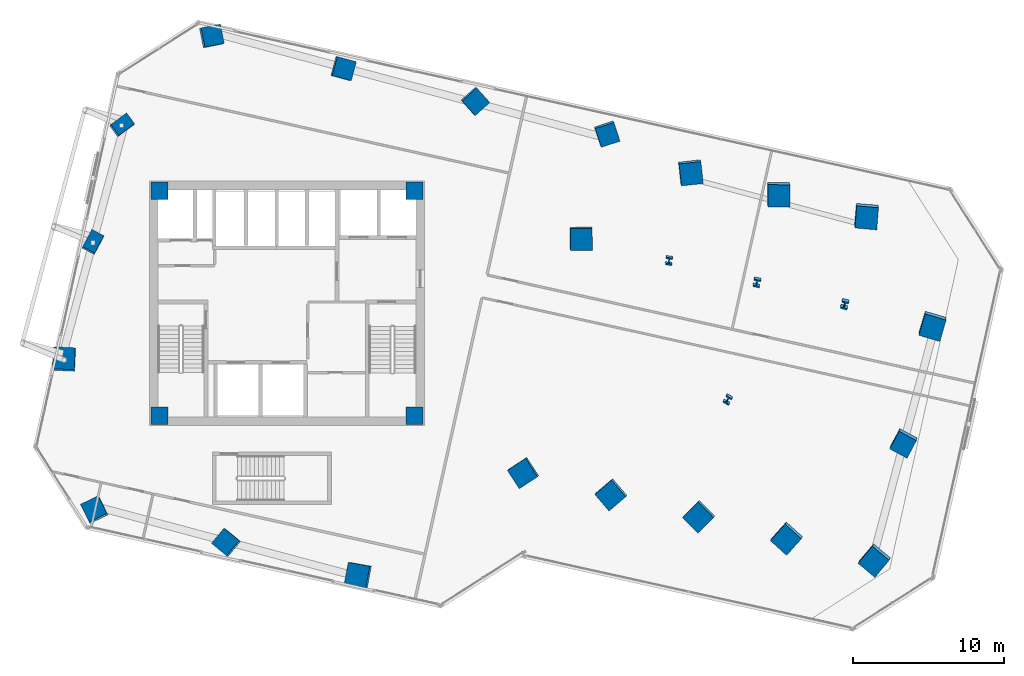
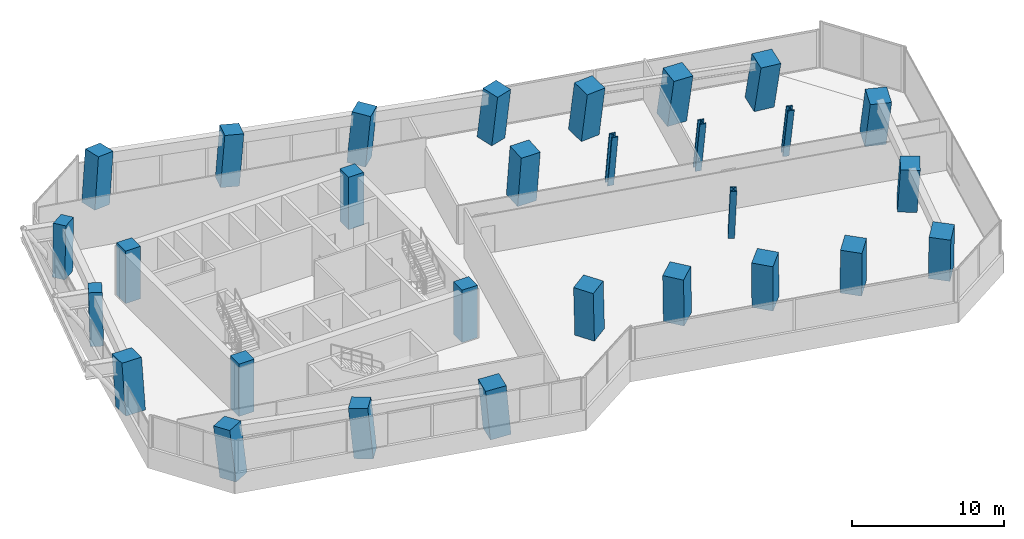
# One storey, part 1 of 26: 29 columns.
"""IFC4 building model written with IfcOpenShell, lengths in metres."""

from ifc_helpers import new_model, si_unit, direction, frame, origin, origin_2d, place, context, subcontext, project, spatial, rectangle, i_section, extrude, clip, halfspace, source, transform, mapped, material, material_profile, profile_set, type_object, element, save


model = new_model("IFC4")

# Units and contexts
model_context = context("Model", 3, precision=1e-05, world=origin(), true_north=direction((0.0, 1.0)))
body_context = subcontext(model_context, "Body", "Model", "MODEL_VIEW")
ifc_project = project(units=[si_unit("LENGTHUNIT", "METRE"), si_unit("AREAUNIT", "SQUARE_METRE"), si_unit("VOLUMEUNIT", "CUBIC_METRE"), si_unit("PLANEANGLEUNIT", "RADIAN"), si_unit("MASSUNIT", "GRAM", prefix="KILO")], contexts=[model_context])

# Site, building, storey
site_placement = place(None, origin())
site = spatial("IfcSite", under=ifc_project, at=site_placement, CompositionType="ELEMENT")
building_placement = place(site_placement, origin())
building = spatial("IfcBuilding", under=site, at=building_placement, Name="Torre Montelarca", CompositionType="ELEMENT")
storey_placement = place(building_placement, frame((0.0, 0.0, 95.800048828125)))
storey = spatial("IfcBuildingStorey", under=building, at=storey_placement, Name="L21", CompositionType="ELEMENT", Elevation=95.800048828125)

# Columns
ifc_material_1 = material(Name="Concrete C55/67", Category="concrete")
ifc_material_profile_1 = material_profile(ifc_material_1, rectangle(XDim=0.89990234375, YDim=1.300048828125, at=origin_2d()), Name="RC1300X900", Category="concrete")
ifc_profile_set_1 = profile_set([ifc_material_profile_1], Name="Concrete C55/67")
column_type_1 = type_object("IfcColumnType", Name="COL-PIL1300-EXT", PredefinedType="PILASTER", material=ifc_profile_set_1)
column_1_placement = place(storey_placement, frame((5.1328125, 36.0048828125, 0.0), z_axis=(0.021657544473, 0.084487586596, 0.996189137904), x_axis=(0.882124664244, -0.470559572266, 0.020730790648)))
element("IfcColumn", 1, at=column_1_placement, inside=storey, type_object=column_type_1, Name="L21 Column 1W/E", PredefinedType="PILASTER", context=body_context, shape_type="Clipping", body=[
    clip(clip(extrude(rectangle(XDim=0.89990234375, YDim=1.300048828125, at=origin_2d()), origin(), (0.0, 0.0, 1.0), 4.216064453125), halfspace(frame((0.0, 0.0, 0.0654296875), z_axis=(0.0, 0.0, -1.0), x_axis=(1.0, 0.0, 0.0)), False)), halfspace(frame((0.0, 0.0, 4.150634765625), z_axis=(0.0, 0.0, 1.0), x_axis=(1.0, 0.0, 0.0)), False)),
])
column_2_placement = place(storey_placement, frame((7.034423828125, 43.775634765625, 0.0), z_axis=(0.061677203193, 0.074116789203, 0.995340456409), x_axis=(0.59530735694, -0.803171151996, 0.022918363263)))
element("IfcColumn", 2, at=column_2_placement, inside=storey, type_object=column_type_1, Name="L21 Column 1W/F", PredefinedType="PILASTER", context=body_context, shape_type="Clipping", body=[
    clip(clip(extrude(rectangle(XDim=0.89990234375, YDim=1.300048828125, at=origin_2d()), origin(), (0.0, 0.0, 1.0), 4.2197265625), halfspace(frame((0.0, 0.0, 0.072265625), z_axis=(0.0, 0.0, -1.0), x_axis=(1.0, 0.0, 0.0)), False)), halfspace(frame((0.0, 0.0, 4.1474609375), z_axis=(0.0, 0.0, 1.0), x_axis=(1.0, 0.0, 0.0)), False)),
])
ifc_material_2 = material(Name="Concrete C70/85", Category="concrete")
ifc_material_profile_2 = material_profile(ifc_material_2, rectangle(XDim=1.300048828125, YDim=1.300048828125, at=origin_2d()), Name="RC1300X1300", Category="concrete")
ifc_profile_set_2 = profile_set([ifc_material_profile_2], Name="Concrete C70/85")
column_type_2 = type_object("IfcColumnType", Name="COL-RC1300-EXT", PredefinedType="COLUMN", material=ifc_profile_set_2)
column_3_placement = place(storey_placement, frame((5.27001953125, 18.263916015625, 0.0), z_axis=(-0.070026755968, 0.084586774536, 0.993952378649), x_axis=(0.898867444645, 0.437442644785, 0.026100756318)))
element("IfcColumn", 3, at=column_3_placement, inside=storey, type_object=column_type_2, Name="L21 Column 2/CS", PredefinedType="COLUMN", context=body_context, shape_type="Clipping", body=[
    clip(clip(extrude(rectangle(XDim=1.300048828125, YDim=1.300048828125, at=origin_2d()), origin(), (0.0, 0.0, 1.0), 4.2255859375), halfspace(frame((0.0, 0.0, 0.087646484375), z_axis=(0.0, 0.0, -1.0), x_axis=(1.0, 0.0, 0.0)), False)), halfspace(frame((0.0, 0.0, 4.137939453125), z_axis=(0.0, 0.0, 1.0), x_axis=(1.0, 0.0, 0.0)), False)),
])
column_4_placement = place(storey_placement, frame((12.959228515625, 49.68701171875, 0.0), z_axis=(0.091833343277, 0.043083023137, 0.99484194231), x_axis=(0.198481878396, -0.979807961989, 0.024110196407)))
element("IfcColumn", 4, at=column_4_placement, inside=storey, type_object=column_type_2, Name="L21 Column 2/GN", PredefinedType="COLUMN", context=body_context, shape_type="Clipping", body=[
    clip(clip(extrude(rectangle(XDim=1.300048828125, YDim=1.300048828125, at=origin_2d()), origin(), (0.0, 0.0, 1.0), 4.2216796875), halfspace(frame((0.0, 0.0, 0.080810546875), z_axis=(0.0, 0.0, -1.0), x_axis=(1.0, 0.0, 0.0)), False)), halfspace(frame((0.0, 0.0, 4.140869140625), z_axis=(0.0, 0.0, 1.0), x_axis=(1.0, 0.0, 0.0)), False)),
])
column_5_placement = place(storey_placement, frame((14.01220703125, 16.124755859375, 0.0), z_axis=(-0.08173927693, 0.039653969332, 0.995864575795), x_axis=(0.636933546754, 0.770616224226, 0.021593794944)))
element("IfcColumn", 5, at=column_5_placement, inside=storey, type_object=column_type_2, Name="L21 Column 3/CS", PredefinedType="COLUMN", context=body_context, shape_type="Clipping", body=[
    clip(clip(extrude(rectangle(XDim=1.300048828125, YDim=1.300048828125, at=origin_2d()), origin(), (0.0, 0.0, 1.0), 4.21728515625), halfspace(frame((0.0, 0.0, 0.072265625), z_axis=(0.0, 0.0, -1.0), x_axis=(1.0, 0.0, 0.0)), False)), halfspace(frame((0.0, 0.0, 4.14501953125), z_axis=(0.0, 0.0, 1.0), x_axis=(1.0, 0.0, 0.0)), False)),
])
column_6_placement = place(storey_placement, frame((21.701171875, 47.547607421875, 0.0), z_axis=(0.080479677017, -0.001912044162, 0.996754415929), x_axis=(-0.259918359422, -0.965441000631, 0.019134281708)))
element("IfcColumn", 6, at=column_6_placement, inside=storey, type_object=column_type_2, Name="L21 Column 3/GN", PredefinedType="COLUMN", context=body_context, shape_type="Clipping", body=[
    clip(clip(extrude(rectangle(XDim=1.300048828125, YDim=1.300048828125, at=origin_2d()), origin(), (0.0, 0.0, 1.0), 4.213623046875), halfspace(frame((0.0, 0.0, 0.064208984375), z_axis=(0.0, 0.0, -1.0), x_axis=(1.0, 0.0, 0.0)), False)), halfspace(frame((0.0, 0.0, 4.1494140625), z_axis=(0.0, 0.0, 1.0), x_axis=(1.0, 0.0, 0.0)), False)),
])
column_7_placement = place(storey_placement, frame((30.443359375, 45.40869140625, 0.0), z_axis=(0.068874852262, -0.047094411177, 0.996513106367), x_axis=(-0.743779680485, -0.66813059545, 0.01983164948)))
element("IfcColumn", 7, at=column_7_placement, inside=storey, type_object=column_type_2, Name="L21 Column 4/GN", PredefinedType="COLUMN", context=body_context, shape_type="Clipping", body=[
    clip(clip(extrude(rectangle(XDim=1.300048828125, YDim=1.300048828125, at=origin_2d()), origin(), (0.0, 0.0, 1.0), 4.214599609375), halfspace(frame((0.0, 0.0, 0.066650390625), z_axis=(0.0, 0.0, -1.0), x_axis=(1.0, 0.0, 0.0)), False)), halfspace(frame((0.0, 0.0, 4.14794921875), z_axis=(0.0, 0.0, 1.0), x_axis=(1.0, 0.0, 0.0)), False)),
])
column_8_placement = place(storey_placement, frame((39.185302734375, 43.269287109375, 0.0), z_axis=(0.057209704883, -0.091940040878, 0.994119750609), x_axis=(-0.949549627817, -0.312558879677, 0.025738124395)))
element("IfcColumn", 8, at=column_8_placement, inside=storey, type_object=column_type_2, Name="L21 Column 5/GN", PredefinedType="COLUMN", context=body_context, shape_type="Clipping", body=[
    clip(clip(extrude(rectangle(XDim=1.300048828125, YDim=1.300048828125, at=origin_2d()), origin(), (0.0, 0.0, 1.0), 4.224853515625), halfspace(frame((0.0, 0.0, 0.08642578125), z_axis=(0.0, 0.0, -1.0), x_axis=(1.0, 0.0, 0.0)), False)), halfspace(frame((0.0, 0.0, 4.138427734375), z_axis=(0.0, 0.0, 1.0), x_axis=(1.0, 0.0, 0.0)), False)),
])
column_9_placement = place(storey_placement, frame((58.896728515625, 22.84912109375, 0.0), z_axis=(-0.048735307847, -0.189982200062, 0.980577194018), x_axis=(-0.882964707532, 0.467118904465, 0.046618176111)))
element("IfcColumn", 9, at=column_9_placement, inside=storey, type_object=column_type_2, Name="L21 Column 9/E", PredefinedType="COLUMN", context=body_context, shape_type="Clipping", body=[
    clip(clip(extrude(rectangle(XDim=1.300048828125, YDim=1.300048828125, at=origin_2d()), origin(), (0.0, 0.0, 1.0), 4.283203125), halfspace(frame((0.0, 0.0, 0.157958984375), z_axis=(0.0, 0.0, -1.0), x_axis=(1.0, 0.0, 0.0)), False)), halfspace(frame((0.0, 0.0, 4.125244140625), z_axis=(0.0, 0.0, 1.0), x_axis=(1.0, 0.0, 0.0)), False)),
])
ifc_material_profile_3 = material_profile(ifc_material_2, rectangle(XDim=1.449951171875, YDim=1.449951171875, at=origin_2d()), Name="RC1450X1450", Category="concrete")
ifc_profile_set_3 = profile_set([ifc_material_profile_3], Name="Concrete C70/85")
column_type_3 = type_object("IfcColumnType", Name="COL-RC1450", PredefinedType="COLUMN", material=ifc_profile_set_3)
column_10_placement = place(storey_placement, frame((33.68310546875, 20.78271484375, 0.0), z_axis=(-0.058784219019, -0.062374979196, 0.996320118017), x_axis=(-0.544471118639, 0.838532157518, 0.020372083255)))
element("IfcColumn", 10, at=column_10_placement, inside=storey, type_object=column_type_3, Name="L21 Column 5/D", PredefinedType="COLUMN", context=body_context, shape_type="Clipping", body=[
    clip(clip(extrude(rectangle(XDim=1.449951171875, YDim=1.449951171875, at=origin_2d()), origin(), (0.0, 0.0, 1.0), 4.215576171875), halfspace(frame((0.0, 0.0, 0.076171875), z_axis=(0.0, 0.0, -1.0), x_axis=(1.0, 0.0, 0.0)), False)), halfspace(frame((0.0, 0.0, 4.139404296875), z_axis=(0.0, 0.0, 1.0), x_axis=(1.0, 0.0, 0.0)), False)),
])
column_11_placement = place(storey_placement, frame((37.48583984375, 36.32421875, 0.0), z_axis=(0.021486713644, -0.082935239724, 0.996323274419), x_axis=(-0.999689409814, -0.014367235525, 0.020363360447)))
element("IfcColumn", 11, at=column_11_placement, inside=storey, type_object=column_type_3, Name="L21 Column 5/F", PredefinedType="COLUMN", context=body_context, shape_type="Clipping", body=[
    clip(clip(extrude(rectangle(XDim=1.449951171875, YDim=1.449951171875, at=origin_2d()), origin(), (0.0, 0.0, 1.0), 4.21533203125), halfspace(frame((0.0, 0.0, 0.076171875), z_axis=(0.0, 0.0, -1.0), x_axis=(1.0, 0.0, 0.0)), False)), halfspace(frame((0.0, 0.0, 4.13916015625), z_axis=(0.0, 0.0, 1.0), x_axis=(1.0, 0.0, 0.0)), False)),
])
column_12_placement = place(storey_placement, frame((39.510986328125, 19.356689453125, 0.0), z_axis=(-0.066243141564, -0.092232168332, 0.993531616669), x_axis=(-0.651184265273, 0.75843955537, 0.026990618942)))
element("IfcColumn", 12, at=column_12_placement, inside=storey, type_object=column_type_3, Name="L21 Column 6/D", PredefinedType="COLUMN", context=body_context, shape_type="Clipping", body=[
    clip(clip(extrude(rectangle(XDim=1.449951171875, YDim=1.449951171875, at=origin_2d()), origin(), (0.0, 0.0, 1.0), 4.227294921875), halfspace(frame((0.0, 0.0, 0.100830078125), z_axis=(0.0, 0.0, -1.0), x_axis=(1.0, 0.0, 0.0)), False)), halfspace(frame((0.0, 0.0, 4.12646484375), z_axis=(0.0, 0.0, 1.0), x_axis=(1.0, 0.0, 0.0)), False)),
])
column_13_placement = place(storey_placement, frame((44.739990234375, 40.726318359375, 0.0), z_axis=(0.043642652693, -0.120204664286, 0.991789371565), x_axis=(-0.99347662325, -0.109910397772, 0.030395781227)))
element("IfcColumn", 13, at=column_13_placement, inside=storey, type_object=column_type_3, Name="L21 Column 6/G", PredefinedType="COLUMN", context=body_context, shape_type="Clipping", body=[
    clip(clip(extrude(rectangle(XDim=1.449951171875, YDim=1.449951171875, at=origin_2d()), origin(), (0.0, 0.0, 1.0), 4.234619140625), halfspace(frame((0.0, 0.0, 0.11376953125), z_axis=(0.0, 0.0, -1.0), x_axis=(1.0, 0.0, 0.0)), False)), halfspace(frame((0.0, 0.0, 4.120849609375), z_axis=(0.0, 0.0, 1.0), x_axis=(1.0, 0.0, 0.0)), False)),
])
column_14_placement = place(storey_placement, frame((45.339111328125, 17.9306640625, 0.0), z_axis=(-0.073648005459, -0.121806896528, 0.989817685864), x_axis=(-0.709488778205, 0.703904141018, 0.033832437972)))
element("IfcColumn", 14, at=column_14_placement, inside=storey, type_object=column_type_3, Name="L21 Column 7/D", PredefinedType="COLUMN", context=body_context, shape_type="Clipping", body=[
    clip(clip(extrude(rectangle(XDim=1.449951171875, YDim=1.449951171875, at=origin_2d()), origin(), (0.0, 0.0, 1.0), 4.2431640625), halfspace(frame((0.0, 0.0, 0.126708984375), z_axis=(0.0, 0.0, -1.0), x_axis=(1.0, 0.0, 0.0)), False)), halfspace(frame((0.0, 0.0, 4.116455078125), z_axis=(0.0, 0.0, 1.0), x_axis=(1.0, 0.0, 0.0)), False)),
])
column_15_placement = place(storey_placement, frame((50.568115234375, 39.300048828125, 0.0), z_axis=(0.035841157011, -0.149567905219, 0.988101641124), x_axis=(-0.999329508382, 0.002036176133, 0.036556636394)))
element("IfcColumn", 15, at=column_15_placement, inside=storey, type_object=column_type_3, Name="L21 Column 7/G", PredefinedType="COLUMN", context=body_context, shape_type="Clipping", body=[
    clip(clip(extrude(rectangle(XDim=1.449951171875, YDim=1.449951171875, at=origin_2d()), origin(), (0.0, 0.0, 1.0), 4.25048828125), halfspace(frame((0.0, 0.0, 0.13720703125), z_axis=(0.0, 0.0, -1.0), x_axis=(1.0, 0.0, 0.0)), False)), halfspace(frame((0.0, 0.0, 4.11328125), z_axis=(0.0, 0.0, 1.0), x_axis=(1.0, 0.0, 0.0)), False)),
])
column_16_placement = place(storey_placement, frame((51.1669921875, 16.50439453125, 0.0), z_axis=(-0.080923667154, -0.150908607892, 0.985229898125), x_axis=(-0.745362832853, 0.665415442053, 0.040700575887)))
element("IfcColumn", 16, at=column_16_placement, inside=storey, type_object=column_type_3, Name="L21 Column 8/D", PredefinedType="COLUMN", context=body_context, shape_type="Clipping", body=[
    clip(clip(extrude(rectangle(XDim=1.449951171875, YDim=1.449951171875, at=origin_2d()), origin(), (0.0, 0.0, 1.0), 4.262939453125), halfspace(frame((0.0, 0.0, 0.153076171875), z_axis=(0.0, 0.0, -1.0), x_axis=(1.0, 0.0, 0.0)), False)), halfspace(frame((0.0, 0.0, 4.10986328125), z_axis=(0.0, 0.0, 1.0), x_axis=(1.0, 0.0, 0.0)), False)),
])
column_17_placement = place(storey_placement, frame((56.396240234375, 37.8740234375, 0.0), z_axis=(0.028071185812, -0.178603634375, 0.983520589675), x_axis=(-0.995858545745, 0.080119312988, 0.042972695445)))
element("IfcColumn", 17, at=column_17_placement, inside=storey, type_object=column_type_3, Name="L21 Column 8/G", PredefinedType="COLUMN", context=body_context, shape_type="Clipping", body=[
    clip(clip(extrude(rectangle(XDim=1.449951171875, YDim=1.449951171875, at=origin_2d()), origin(), (0.0, 0.0, 1.0), 4.270263671875), halfspace(frame((0.0, 0.0, 0.161865234375), z_axis=(0.0, 0.0, -1.0), x_axis=(1.0, 0.0, 0.0)), False)), halfspace(frame((0.0, 0.0, 4.1083984375), z_axis=(0.0, 0.0, 1.0), x_axis=(1.0, 0.0, 0.0)), False)),
])
ifc_material_profile_4 = material_profile(ifc_material_2, rectangle(XDim=1.449951171875, YDim=1.449951171875, at=origin_2d()), Name="RC1450X1450", Category="concrete")
ifc_profile_set_4 = profile_set([ifc_material_profile_4], Name="Concrete C70/85")
column_type_4 = type_object("IfcColumnType", Name="COL-RC1450-EXT", PredefinedType="COLUMN", material=ifc_profile_set_4)
column_18_placement = place(storey_placement, frame((22.754150390625, 13.985595703125, 0.0), z_axis=(-0.093237134672, -0.005440279739, 0.995629067512), x_axis=(0.179664706688, 0.983477404155, 0.022198844298)))
element("IfcColumn", 18, at=column_18_placement, inside=storey, type_object=column_type_4, Name="L21 Perimeter Mega Column 4/CS", PredefinedType="COLUMN", context=body_context, shape_type="Clipping", body=[
    clip(clip(extrude(rectangle(XDim=1.449951171875, YDim=1.449951171875, at=origin_2d()), origin(), (0.0, 0.0, 1.0), 4.218505859375), halfspace(frame((0.0, 0.0, 0.0830078125), z_axis=(0.0, 0.0, -1.0), x_axis=(1.0, 0.0, 0.0)), False)), halfspace(frame((0.0, 0.0, 4.135498046875), z_axis=(0.0, 0.0, 1.0), x_axis=(1.0, 0.0, 0.0)), False)),
])
for number, where, z_axis, x_axis, name in (
    (19, (56.9951171875, 15.078369140625, 0.0), (-0.08805046164, -0.179689008068, 0.979774962216), (-0.769777450885, 0.636537960512, 0.047561548936), "L21 Perimeter Mega Column 9/D"),
    (20, (60.798095703125, 30.619873046875, 0.0), (-0.009169522057, -0.199906971547, 0.979771974794), (-0.959651199018, 0.277141019279, 0.047565025555), "L21 Perimeter Mega Column 9/F"),
):
    element("IfcColumn", number, at=place(storey_placement, frame(where, z_axis=z_axis, x_axis=x_axis)), inside=storey, type_object=column_type_4, Name=name, PredefinedType="COLUMN", context=body_context, shape_type="Clipping", body=[
        clip(clip(extrude(rectangle(XDim=1.449951171875, YDim=1.449951171875, at=origin_2d()), origin(), (0.0, 0.0, 1.0), 4.28662109375), halfspace(frame((0.0, 0.0, 0.1796875), z_axis=(0.0, 0.0, -1.0), x_axis=(1.0, 0.0, 0.0)), False)), halfspace(frame((0.0, 0.0, 4.10693359375), z_axis=(0.0, 0.0, 1.0), x_axis=(1.0, 0.0, 0.0)), False)),
    ])
column_19_placement = place(storey_placement, frame((3.2314453125, 28.234375, 0.0), z_axis=(-0.018456845087, 0.094656421824, 0.995338890367), x_axis=(0.998664266223, -0.046306110542, 0.0229222053)))
element("IfcColumn", 21, at=column_19_placement, inside=storey, type_object=column_type_4, Name="L21 Perimeter Mega Column 1W/D", PredefinedType="COLUMN", context=body_context, shape_type="Clipping", body=[
    clip(clip(extrude(rectangle(XDim=1.449951171875, YDim=1.449951171875, at=origin_2d()), origin(), (0.0, 0.0, 1.0), 4.2197265625), halfspace(frame((0.0, 0.0, 0.085693359375), z_axis=(0.0, 0.0, -1.0), x_axis=(1.0, 0.0, 0.0)), False)), halfspace(frame((0.0, 0.0, 4.134033203125), z_axis=(0.0, 0.0, 1.0), x_axis=(1.0, 0.0, 0.0)), False)),
])
ifc_material_3 = material(Name="Steel ASTM A992 Grade 50", Category="steel")
ifc_material_profile_5 = material_profile(ifc_material_3, i_section(OverallWidth=0.431884765625, OverallDepth=0.498046875, WebThickness=0.0556640625, FlangeThickness=0.0888671875, FilletRadius=0.014892578125, at=origin_2d()), Name="W360X744", Category="steel")
ifc_profile_set_5 = profile_set([ifc_material_profile_5], Name="Steel ASTM A992 Grade 50")
column_type_5 = type_object("IfcColumnType", Name="COL-W360X744", PredefinedType="COLUMN", material=ifc_profile_set_5)
column_20_placement = place(storey_placement, frame((43.31396484375, 34.898193359375, 0.0), z_axis=(0.013745286172, -0.112734447934, 0.993530075718), x_axis=(-0.992782582897, 0.116850659395, 0.026993823279)))
element("IfcColumn", 22, at=column_20_placement, inside=storey, type_object=column_type_5, Name="L21 Column 6/F", PredefinedType="COLUMN", context=body_context, shape_type="Clipping", body=[
    clip(clip(extrude(i_section(OverallWidth=0.431884765625, OverallDepth=0.498046875, WebThickness=0.0556640625, FlangeThickness=0.0888671875, FilletRadius=0.014892578125, at=origin_2d()), origin(), (0.0, 0.0, 1.0), 4.227294921875), halfspace(frame((0.0, 0.0, 0.0341796875), z_axis=(0.0, 0.0, -1.0), x_axis=(1.0, 0.0, 0.0)), False)), halfspace(frame((0.0, 0.0, 4.193115234375), z_axis=(0.0, 0.0, 1.0), x_axis=(1.0, 0.0, 0.0)), False)),
])
column_21_placement = place(storey_placement, frame((47.240478515625, 25.701416015625, 0.0), z_axis=(-0.033860756717, -0.132103020252, 0.99065747925), x_axis=(-0.882459563694, 0.469270120304, 0.03241408083)))
element("IfcColumn", 23, at=column_21_placement, inside=storey, type_object=column_type_5, Name="L21 Column 7/E", PredefinedType="COLUMN", context=body_context, shape_type="Clipping", body=[
    clip(clip(extrude(i_section(OverallWidth=0.431884765625, OverallDepth=0.498046875, WebThickness=0.0556640625, FlangeThickness=0.0888671875, FilletRadius=0.014892578125, at=origin_2d()), origin(), (0.0, 0.0, 1.0), 4.239501953125), halfspace(frame((0.0, 0.0, 0.041015625), z_axis=(0.0, 0.0, -1.0), x_axis=(1.0, 0.0, 0.0)), False)), halfspace(frame((0.0, 0.0, 4.198486328125), z_axis=(0.0, 0.0, 1.0), x_axis=(1.0, 0.0, 0.0)), False)),
])
column_22_placement = place(storey_placement, frame((49.14208984375, 33.47216796875, 0.0), z_axis=(0.005983885477, -0.142232354801, 0.98981521021), x_axis=(-0.980372715523, 0.194227773312, 0.033836529561)))
element("IfcColumn", 24, at=column_22_placement, inside=storey, type_object=column_type_5, Name="L21 Column 7/F", PredefinedType="COLUMN", context=body_context, shape_type="Clipping", body=[
    clip(clip(extrude(i_section(OverallWidth=0.431884765625, OverallDepth=0.498046875, WebThickness=0.0556640625, FlangeThickness=0.0888671875, FilletRadius=0.014892578125, at=origin_2d()), origin(), (0.0, 0.0, 1.0), 4.2431640625), halfspace(frame((0.0, 0.0, 0.04296875), z_axis=(0.0, 0.0, -1.0), x_axis=(1.0, 0.0, 0.0)), False)), halfspace(frame((0.0, 0.0, 4.2001953125), z_axis=(0.0, 0.0, 1.0), x_axis=(1.0, 0.0, 0.0)), False)),
])
column_23_placement = place(storey_placement, frame((54.97021484375, 32.0458984375, 0.0), z_axis=(-0.001660850625, -0.171239426504, 0.985228044864), x_axis=(-0.969025231854, 0.243584393687, 0.040703110237)))
element("IfcColumn", 25, at=column_23_placement, inside=storey, type_object=column_type_5, Name="L21 Column 8/F", PredefinedType="COLUMN", context=body_context, shape_type="Clipping", body=[
    clip(clip(extrude(i_section(OverallWidth=0.431884765625, OverallDepth=0.498046875, WebThickness=0.0556640625, FlangeThickness=0.0888671875, FilletRadius=0.014892578125, at=origin_2d()), origin(), (0.0, 0.0, 1.0), 4.262939453125), halfspace(frame((0.0, 0.0, 0.0517578125), z_axis=(0.0, 0.0, -1.0), x_axis=(1.0, 0.0, 0.0)), False)), halfspace(frame((0.0, 0.0, 4.211181640625), z_axis=(0.0, 0.0, 1.0), x_axis=(1.0, 0.0, 0.0)), False)),
])
ifc_material_profile_6 = material_profile(ifc_material_1, rectangle(XDim=1.14990234375, YDim=1.14990234375, at=origin_2d()), Name="RC1150X1150", Category="concrete")
ifc_profile_set_6 = profile_set([ifc_material_profile_6], Name="Concrete C55/67")
column_type_6 = type_object("IfcColumnType", Name="COL-RC1150", PredefinedType="COLUMN", material=ifc_profile_set_6)
shared_shape = source(origin(), body_context, "Body", "SweptSolid", [
    extrude(rectangle(XDim=1.14990234375, YDim=1.14990234375, at=origin_2d()), origin(), (0.0, 0.0, 1.0), 4.198486328125),
])
for number, where, z_axis, x_axis, name in (
    (26, (9.550048828125, 24.550048828125, 0.000732421875), (0.0, 0.0, 1.0), (1.0, 0.0, 0.0), "L21 Plumb Core Corner Column 2D"),
    (27, (26.449951171875, 24.550048828125, 0.000732421875), (0.0, 0.0, 1.0), (1.0, 0.0, 0.0), "L21 Plumb Core Corner Column 4D"),
    (28, (9.550048828125, 39.449951171875, 0.000732421875), (0.0, 0.0, 1.0), (1.0, 0.0, 0.0), "L21 Plumb Core Corner Column 2F"),
    (29, (26.449951171875, 39.449951171875, 0.000732421875), (0.0, 0.0, 1.0), (1.0, 0.0, 0.0), "L21 Plumb Core Corner Column 4F"),
):
    element("IfcColumn", number, at=place(storey_placement, frame(where, z_axis=z_axis, x_axis=x_axis)), inside=storey, type_object=column_type_6, Name=name, PredefinedType="COLUMN", context=body_context, shape_type="MappedRepresentation", body=[
        mapped(shared_shape, transform((0.0, 0.0, 0.0), scale=1.0)),
    ])

save(model, "model.ifc")
